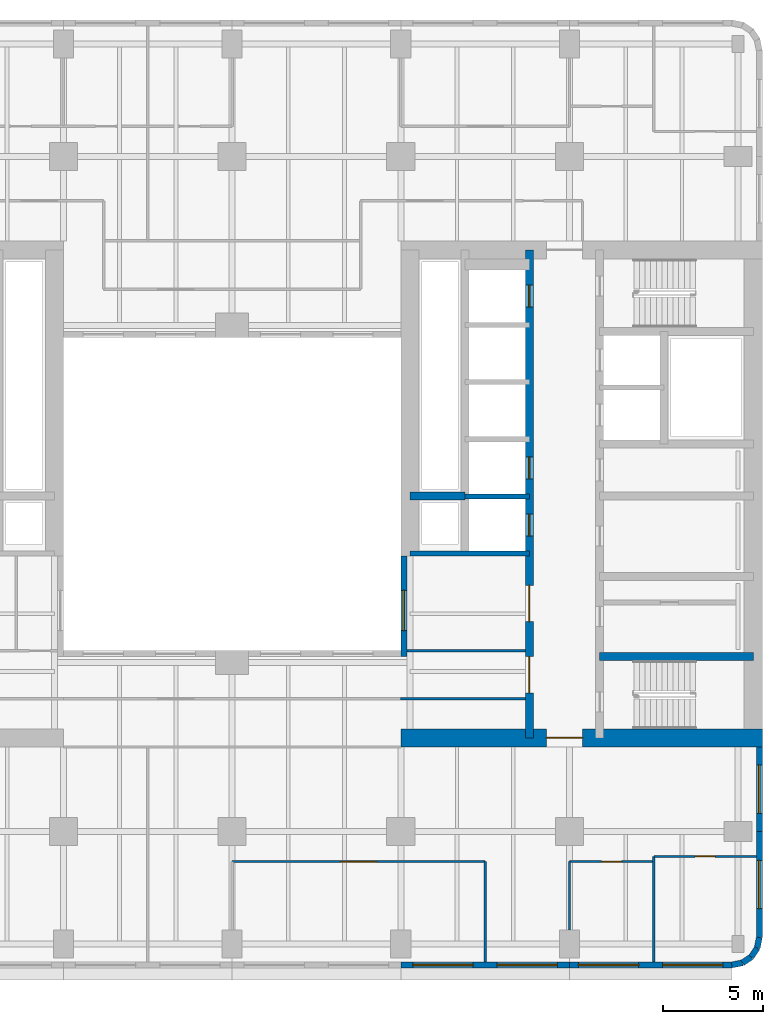
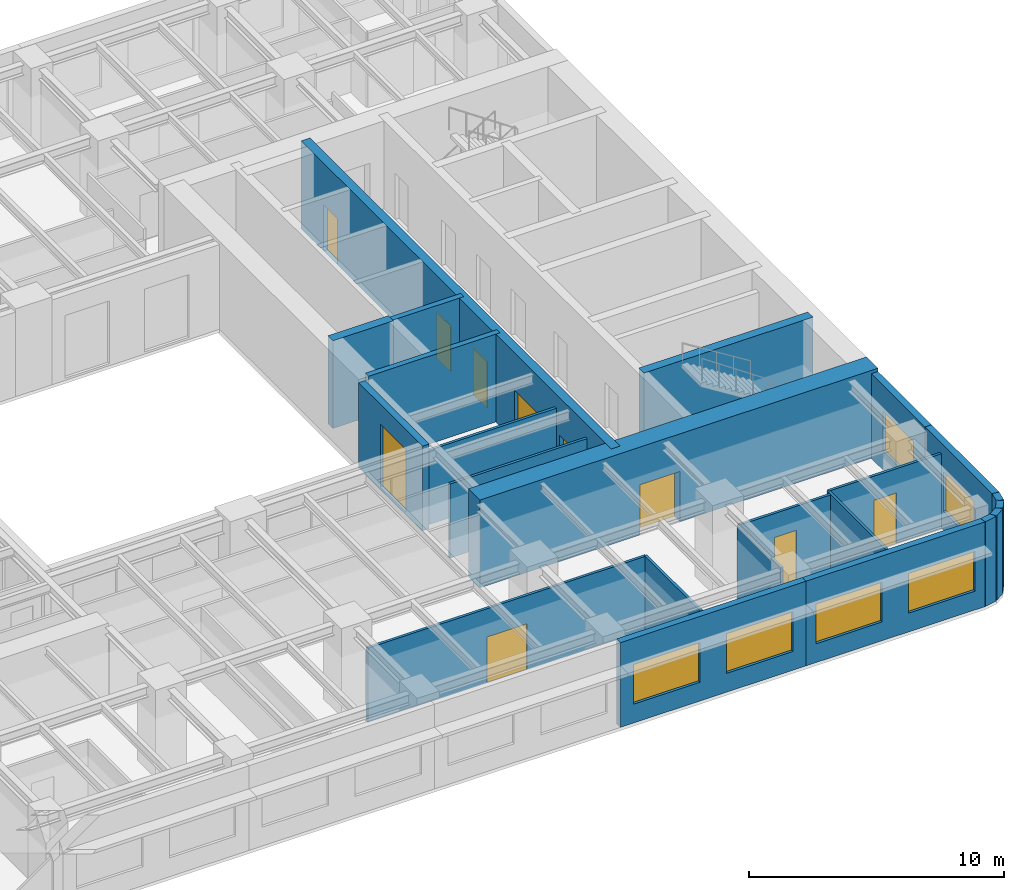
# One storey, part 5 of 11: 23 walls, 9 doors, 7 windows, 16 openings.
"""IFC4 building model written with IfcOpenShell, lengths in metres."""

from ifc_helpers import new_model, si_unit, direction, frame, frame_2d, origin, place, context, subcontext, project, spatial, rectangle, extrude, material, layer, layer_set, type_object, element, fill, save


model = new_model("IFC4")

# Units and contexts
model_context = context("Model", 3, precision=1e-05, world=origin(), true_north=direction((0.0, 1.0)))
body_context = subcontext(model_context, "Body", "Model", "MODEL_VIEW")
ifc_project = project(units=[si_unit("LENGTHUNIT", "METRE"), si_unit("AREAUNIT", "SQUARE_METRE"), si_unit("VOLUMEUNIT", "CUBIC_METRE"), si_unit("PLANEANGLEUNIT", "RADIAN"), si_unit("MASSUNIT", "GRAM", prefix="KILO")], contexts=[model_context])

# Site, building, storey
site_placement = place(None, origin())
site = spatial("IfcSite", under=ifc_project, at=site_placement, CompositionType="ELEMENT")
building_placement = place(site_placement, origin())
building = spatial("IfcBuilding", under=site, at=building_placement, Name="Claustro Exchange Tower", CompositionType="ELEMENT")
storey_placement = place(building_placement, frame((0.0, 0.0, 147.0)))
storey = spatial("IfcBuildingStorey", under=building, at=storey_placement, Name="L33", CompositionType="ELEMENT", Elevation=147.0)

# Wall
ifc_material_1 = material(Name="Laminated glass in aluminium frame", Category="aluminium")
ifc_layer_1 = layer(ifc_material_1, 0.1201171875)
ifc_layer_set_1 = layer_set([ifc_layer_1], Name="Laminated glass in aluminium frame")
wall_type_1 = type_object("IfcWallType", Name="P2 120 glazed partition", PredefinedType="PARTITIONING", material=ifc_layer_set_1)
wall_1_placement = place(storey_placement, frame((33.89794921875, 17.39990234375, 0.0), z_axis=(0.0, 0.0, 1.0), x_axis=(1.0, 0.0, 0.0)))
element("IfcWall", 1, at=wall_1_placement, inside=storey, type_object=wall_type_1, Name="Partition P2 L33", PredefinedType="PARTITIONING", context=body_context, shape_type="SweptSolid", body=[
    extrude(rectangle(XDim=5.904052734375, YDim=0.1201171875, at=frame_2d((2.9521484375, 0.0))), origin(), (0.0, 0.0, 1.0), 3.550048828125),
])

# Wall, opening, door
wall_2_placement = place(storey_placement, frame((25.199951171875, 6.89990234375, 0.0), z_axis=(0.0, 0.0, 1.0), x_axis=(1.0, 0.0, 0.0)))
wall_2 = element("IfcWall", 2, at=wall_2_placement, inside=storey, type_object=wall_type_1, Name="Partition P2 L33", PredefinedType="PARTITIONING", context=body_context, shape_type="SweptSolid", body=[
    extrude(rectangle(XDim=12.60009765625, YDim=0.1201171875, at=frame_2d((6.300048828125, 0.0))), origin(), (0.0, 0.0, 1.0), 3.550048828125),
])
opening_1_placement = place(wall_2_placement, frame((5.39990234375, 0.0, 0.0)))
opening_1 = element("IfcOpeningElement", 3, at=opening_1_placement, cuts=wall_2, Name="Opening D2", PredefinedType="OPENING", context=body_context, shape_type="SweptSolid", body=[
    extrude(rectangle(XDim=1.800048828125, YDim=2.199951171875, at=frame_2d((0.89990234375, 1.10009765625))), frame((0.0, 0.070068359375, 0.0), z_axis=(0.0, -1.0, 0.0), x_axis=(1.0, 0.0, 0.0)), (0.0, 0.0, 1.0), 0.14013671875),
])
ifc_material_2 = material(Name="Timber door, oak veneer", Category="wood")
door_type_1 = type_object("IfcDoorType", Name="D2 1800 x 2200 double door", OperationType="DOUBLE_DOOR_SINGLE_SWING", PredefinedType="DOOR", material=ifc_material_2)
door_1_placement = place(opening_1_placement, frame((1.800048828125, 0.0, 0.0), z_axis=(0.0, 0.0, 1.0), x_axis=(-1.0, 0.0, 0.0)))
door_1 = element("IfcDoor", 4, at=door_1_placement, inside=storey, type_object=door_type_1, Name="Double door D2 L33", OperationType="DOUBLE_DOOR_SINGLE_SWING", OverallHeight=2.199951171875, OverallWidth=1.800048828125, PredefinedType="DOOR", context=body_context, shape_type="SweptSolid", body=[
    extrude(rectangle(XDim=1.800048828125, YDim=2.199951171875, at=frame_2d((0.89990234375, 1.10009765625))), frame((0.0, 0.02490234375, 0.0), z_axis=(0.0, -1.0, 0.0), x_axis=(1.0, 0.0, 0.0)), (0.0, 0.0, 1.0), 0.050048828125),
])
fill(opening_1, door_1)

# Wall
wall_3_placement = place(storey_placement, frame((37.800048828125, 1.89794921875, 0.0), z_axis=(0.0, 0.0, 1.0), x_axis=(0.0, 1.0, 0.0)))
element("IfcWall", 5, at=wall_3_placement, inside=storey, type_object=wall_type_1, Name="Partition P2 L33", PredefinedType="PARTITIONING", context=body_context, shape_type="SweptSolid", body=[
    extrude(rectangle(XDim=5.001953125, YDim=0.1201171875, at=frame_2d((2.5009765625, 0.0))), origin(), (0.0, 0.0, 1.0), 3.56005859375),
])

# Wall, opening, door
wall_4_placement = place(storey_placement, frame((46.199951171875, 7.14990234375, 0.0), z_axis=(0.0, 0.0, 1.0), x_axis=(1.0, 0.0, 0.0)))
wall_4 = element("IfcWall", 6, at=wall_4_placement, inside=storey, type_object=wall_type_1, Name="Partition P2 L33", PredefinedType="PARTITIONING", context=body_context, shape_type="SweptSolid", body=[
    extrude(rectangle(XDim=5.10205078125, YDim=0.1201171875, at=frame_2d((2.551025390625, 0.0))), origin(), (0.0, 0.0, 1.0), 3.56005859375),
])
opening_2_placement = place(wall_4_placement, frame((2.050048828125, 0.0, 0.0)))
opening_2 = element("IfcOpeningElement", 7, at=opening_2_placement, cuts=wall_4, Name="Opening D7", PredefinedType="OPENING", context=body_context, shape_type="SweptSolid", body=[
    extrude(rectangle(XDim=1.0, YDim=2.39990234375, at=frame_2d((0.5, 1.199951171875))), frame((0.0, 0.070068359375, 0.0), z_axis=(0.0, -1.0, 0.0), x_axis=(1.0, 0.0, 0.0)), (0.0, 0.0, 1.0), 0.14013671875),
])
ifc_material_3 = material(Name="Glass door in aluminium frame", Category="aluminium")
door_type_2 = type_object("IfcDoorType", Name="D7 1000 x 2400 glazed door", OperationType="SINGLE_SWING_LEFT", PredefinedType="DOOR", material=ifc_material_3)
door_2_placement = place(opening_2_placement, frame((1.0, 0.0, 0.0), z_axis=(0.0, 0.0, 1.0), x_axis=(-1.0, 0.0, 0.0)))
door_2 = element("IfcDoor", 8, at=door_2_placement, inside=storey, type_object=door_type_2, Name="Door D7 L33", OperationType="SINGLE_SWING_RIGHT", OverallHeight=2.39990234375, OverallWidth=1.0, PredefinedType="DOOR", context=body_context, shape_type="SweptSolid", body=[
    extrude(rectangle(XDim=1.0, YDim=2.39990234375, at=frame_2d((0.5, 1.199951171875))), frame((0.0, 0.02490234375, 0.0), z_axis=(0.0, -1.0, 0.0), x_axis=(1.0, 0.0, 0.0)), (0.0, 0.0, 1.0), 0.050048828125),
])
fill(opening_2, door_2)

wall_5_placement = place(storey_placement, frame((42.0, 6.89990234375, 0.0), z_axis=(0.0, 0.0, 1.0), x_axis=(1.0, 0.0, 0.0)))
wall_5 = element("IfcWall", 9, at=wall_5_placement, inside=storey, type_object=wall_type_1, Name="Partition P2 L33", PredefinedType="PARTITIONING", context=body_context, shape_type="SweptSolid", body=[
    extrude(rectangle(XDim=4.14208984375, YDim=0.1201171875, at=frame_2d((2.071044921875, 0.0))), origin(), (0.0, 0.0, 1.0), 3.550048828125),
])
opening_3_placement = place(wall_5_placement, frame((1.60009765625, 0.0, 0.0)))
opening_3 = element("IfcOpeningElement", 10, at=opening_3_placement, cuts=wall_5, Name="Opening D7", PredefinedType="OPENING", context=body_context, shape_type="SweptSolid", body=[
    extrude(rectangle(XDim=1.0, YDim=2.39990234375, at=frame_2d((0.5, 1.199951171875))), frame((0.0, 0.070068359375, 0.0), z_axis=(0.0, -1.0, 0.0), x_axis=(1.0, 0.0, 0.0)), (0.0, 0.0, 1.0), 0.14013671875),
])
door_3_placement = place(opening_3_placement, frame((1.0, 0.0, 0.0), z_axis=(0.0, 0.0, 1.0), x_axis=(-1.0, 0.0, 0.0)))
door_3 = element("IfcDoor", 11, at=door_3_placement, inside=storey, type_object=door_type_2, Name="Door D7 L33", OperationType="SINGLE_SWING_RIGHT", OverallHeight=2.39990234375, OverallWidth=1.0, PredefinedType="DOOR", context=body_context, shape_type="SweptSolid", body=[
    extrude(rectangle(XDim=1.0, YDim=2.39990234375, at=frame_2d((0.5, 1.199951171875))), frame((0.0, 0.02490234375, 0.0), z_axis=(0.0, -1.0, 0.0), x_axis=(1.0, 0.0, 0.0)), (0.0, 0.0, 1.0), 0.050048828125),
])
fill(opening_3, door_3)

# Walls
wall_6_placement = place(storey_placement, frame((42.0, 3.4990234375, 0.0), z_axis=(0.0, 0.0, 1.0), x_axis=(0.0, 1.0, 0.0)))
element("IfcWall", 12, at=wall_6_placement, inside=storey, type_object=wall_type_1, Name="Partition P2 L33", PredefinedType="PARTITIONING", context=body_context, shape_type="SweptSolid", body=[
    extrude(rectangle(XDim=3.40087890625, YDim=0.1201171875, at=frame_2d((1.700439453125, 0.0))), origin(), (0.0, 0.0, 1.0), 3.550048828125),
])
wall_7_placement = place(storey_placement, frame((46.199951171875, 1.89794921875, 0.0), z_axis=(0.0, 0.0, 1.0), x_axis=(0.0, 1.0, 0.0)))
element("IfcWall", 13, at=wall_7_placement, inside=storey, type_object=wall_type_1, Name="Partition P2 L33", PredefinedType="PARTITIONING", context=body_context, shape_type="SweptSolid", body=[
    extrude(rectangle(XDim=5.251953125, YDim=0.1201171875, at=frame_2d((2.6259765625, 0.0))), origin(), (0.0, 0.0, 1.0), 3.56005859375),
])
wall_8_placement = place(storey_placement, frame((33.597900390625, 15.0, 0.0), z_axis=(0.0, 0.0, 1.0), x_axis=(1.0, 0.0, 0.0)))
element("IfcWall", 14, at=wall_8_placement, inside=storey, type_object=wall_type_1, Name="Partition P2 L33", PredefinedType="PARTITIONING", context=body_context, shape_type="SweptSolid", body=[
    extrude(rectangle(XDim=6.2041015625, YDim=0.1201171875, at=frame_2d((3.10205078125, 0.0))), origin(), (0.0, 0.0, 1.0), 3.550048828125),
])

# Wall, openings, windows
ifc_material_4 = material(Name="Concrete HA-40 (C40/50), precast, white cement, acid-etched", Category="concrete")
ifc_layer_2 = layer(ifc_material_4, 0.300048828125)
ifc_layer_set_2 = layer_set([ifc_layer_2], Name="Concrete HA-40 (C40/50), precast, white cement, acid-etched")
wall_type_2 = type_object("IfcWallType", Name="PC1 300 precast concrete pier panel", PredefinedType="SOLIDWALL", material=ifc_layer_set_2)
wall_9_placement = place(storey_placement, frame((50.085205078125, 1.75, 0.0), z_axis=(0.0, 0.0, 1.0), x_axis=(-1.0, 0.0, 0.0)))
wall_9 = element("IfcWall", 15, at=wall_9_placement, inside=storey, type_object=wall_type_2, Name="Precast pier panel PC1 L33", PredefinedType="SOLIDWALL", context=body_context, shape_type="SweptSolid", body=[
    extrude(rectangle(XDim=8.085205078125, YDim=0.300048828125, at=frame_2d((4.04248046875, 0.0))), origin(), (0.0, 0.0, 1.0), 4.050048828125),
])
opening_4_placement = place(wall_9_placement, frame((0.442626953125, 0.0, 0.89990234375)))
opening_4 = element("IfcOpeningElement", 16, at=opening_4_placement, cuts=wall_9, Name="Opening W1", PredefinedType="OPENING", context=body_context, shape_type="SweptSolid", body=[
    extrude(rectangle(XDim=3.0, YDim=1.89990234375, at=frame_2d((1.5, 0.949951171875))), frame((0.0, 0.159912109375, 0.0), z_axis=(0.0, -1.0, 0.0), x_axis=(1.0, 0.0, 0.0)), (0.0, 0.0, 1.0), 0.320068359375),
])
opening_5_placement = place(wall_9_placement, frame((4.642578125, 0.0, 0.89990234375)))
opening_5 = element("IfcOpeningElement", 17, at=opening_5_placement, cuts=wall_9, Name="Opening W1", PredefinedType="OPENING", context=body_context, shape_type="SweptSolid", body=[
    extrude(rectangle(XDim=3.0, YDim=1.89990234375, at=frame_2d((1.5, 0.949951171875))), frame((0.0, 0.159912109375, 0.0), z_axis=(0.0, -1.0, 0.0), x_axis=(1.0, 0.0, 0.0)), (0.0, 0.0, 1.0), 0.320068359375),
])
ifc_material_5 = material(Name="Aluminium frame, clear double glazing", Category="aluminium")
window_type_1 = type_object("IfcWindowType", Name="W1 3000 x 1900 window", PartitioningType="SINGLE_PANEL", PredefinedType="WINDOW", material=ifc_material_5)
window_1_placement = place(opening_4_placement, origin())
window_1 = element("IfcWindow", 18, at=window_1_placement, inside=storey, type_object=window_type_1, Name="Window W1 L33", OverallHeight=1.89990234375, OverallWidth=3.0, PartitioningType="SINGLE_PANEL", PredefinedType="WINDOW", context=body_context, shape_type="SweptSolid", body=[
    extrude(rectangle(XDim=3.0, YDim=1.89990234375, at=frame_2d((1.5, 0.949951171875))), frame((0.0, 0.030029296875, 0.0), z_axis=(0.0, -1.0, 0.0), x_axis=(1.0, 0.0, 0.0)), (0.0, 0.0, 1.0), 0.06005859375),
])
fill(opening_4, window_1)
window_2_placement = place(opening_5_placement, origin())
window_2 = element("IfcWindow", 19, at=window_2_placement, inside=storey, type_object=window_type_1, Name="Window W1 L33", OverallHeight=1.89990234375, OverallWidth=3.0, PartitioningType="SINGLE_PANEL", PredefinedType="WINDOW", context=body_context, shape_type="SweptSolid", body=[
    extrude(rectangle(XDim=3.0, YDim=1.89990234375, at=frame_2d((1.5, 0.949951171875))), frame((0.0, 0.030029296875, 0.0), z_axis=(0.0, -1.0, 0.0), x_axis=(1.0, 0.0, 0.0)), (0.0, 0.0, 1.0), 0.06005859375),
])
fill(opening_5, window_2)

wall_10_placement = place(storey_placement, frame((42.0, 1.75, 0.0), z_axis=(0.0, 0.0, 1.0), x_axis=(-1.0, 0.0, 0.0)))
wall_10 = element("IfcWall", 20, at=wall_10_placement, inside=storey, type_object=wall_type_2, Name="Precast pier panel PC1 L33", PredefinedType="SOLIDWALL", context=body_context, shape_type="SweptSolid", body=[
    extrude(rectangle(XDim=8.39990234375, YDim=0.300048828125, at=frame_2d((4.199951171875, 0.0))), origin(), (0.0, 0.0, 1.0), 4.050048828125),
])
opening_6_placement = place(wall_10_placement, frame((0.60009765625, 0.0, 0.89990234375)))
opening_6 = element("IfcOpeningElement", 21, at=opening_6_placement, cuts=wall_10, Name="Opening W1", PredefinedType="OPENING", context=body_context, shape_type="SweptSolid", body=[
    extrude(rectangle(XDim=3.0, YDim=1.89990234375, at=frame_2d((1.5, 0.949951171875))), frame((0.0, 0.159912109375, 0.0), z_axis=(0.0, -1.0, 0.0), x_axis=(1.0, 0.0, 0.0)), (0.0, 0.0, 1.0), 0.320068359375),
])
opening_7_placement = place(wall_10_placement, frame((4.800048828125, 0.0, 0.89990234375)))
opening_7 = element("IfcOpeningElement", 22, at=opening_7_placement, cuts=wall_10, Name="Opening W1", PredefinedType="OPENING", context=body_context, shape_type="SweptSolid", body=[
    extrude(rectangle(XDim=3.0, YDim=1.89990234375, at=frame_2d((1.5, 0.949951171875))), frame((0.0, 0.159912109375, 0.0), z_axis=(0.0, -1.0, 0.0), x_axis=(1.0, 0.0, 0.0)), (0.0, 0.0, 1.0), 0.320068359375),
])
window_3_placement = place(opening_6_placement, origin())
window_3 = element("IfcWindow", 23, at=window_3_placement, inside=storey, type_object=window_type_1, Name="Window W1 L33", OverallHeight=1.89990234375, OverallWidth=3.0, PartitioningType="SINGLE_PANEL", PredefinedType="WINDOW", context=body_context, shape_type="SweptSolid", body=[
    extrude(rectangle(XDim=3.0, YDim=1.89990234375, at=frame_2d((1.5, 0.949951171875))), frame((0.0, 0.030029296875, 0.0), z_axis=(0.0, -1.0, 0.0), x_axis=(1.0, 0.0, 0.0)), (0.0, 0.0, 1.0), 0.06005859375),
])
fill(opening_6, window_3)
window_4_placement = place(opening_7_placement, origin())
window_4 = element("IfcWindow", 24, at=window_4_placement, inside=storey, type_object=window_type_1, Name="Window W1 L33", OverallHeight=1.89990234375, OverallWidth=3.0, PartitioningType="SINGLE_PANEL", PredefinedType="WINDOW", context=body_context, shape_type="SweptSolid", body=[
    extrude(rectangle(XDim=3.0, YDim=1.89990234375, at=frame_2d((1.5, 0.949951171875))), frame((0.0, 0.030029296875, 0.0), z_axis=(0.0, -1.0, 0.0), x_axis=(1.0, 0.0, 0.0)), (0.0, 0.0, 1.0), 0.06005859375),
])
fill(opening_7, window_4)

# Wall, opening, window
wall_11_placement = place(storey_placement, frame((51.449951171875, 12.60009765625, 0.0), z_axis=(0.0, 0.0, 1.0), x_axis=(0.0, -1.0, 0.0)))
wall_11 = element("IfcWall", 25, at=wall_11_placement, inside=storey, type_object=wall_type_2, Name="Precast pier panel PC1 L33", PredefinedType="SOLIDWALL", context=body_context, shape_type="SweptSolid", body=[
    extrude(rectangle(XDim=4.2001953125, YDim=0.300048828125, at=frame_2d((2.10009765625, 0.0))), origin(), (0.0, 0.0, 1.0), 4.050048828125),
])
opening_8_placement = place(wall_11_placement, frame((0.89990234375, 0.0, 0.89990234375)))
opening_8 = element("IfcOpeningElement", 26, at=opening_8_placement, cuts=wall_11, Name="Opening W2", PredefinedType="OPENING", context=body_context, shape_type="SweptSolid", body=[
    extrude(rectangle(XDim=2.39990234375, YDim=1.89990234375, at=frame_2d((1.199951171875, 0.949951171875))), frame((0.0, 0.159912109375, 0.0), z_axis=(0.0, -1.0, 0.0), x_axis=(1.0, 0.0, 0.0)), (0.0, 0.0, 1.0), 0.320068359375),
])
ifc_material_6 = material(Name="Aluminium frame, clear double glazing", Category="aluminium")
window_type_2 = type_object("IfcWindowType", Name="W2 2400 x 1900 window", PartitioningType="SINGLE_PANEL", PredefinedType="WINDOW", material=ifc_material_6)
window_5_placement = place(opening_8_placement, origin())
window_5 = element("IfcWindow", 27, at=window_5_placement, inside=storey, type_object=window_type_2, Name="Window W2 L33", OverallHeight=1.89990234375, OverallWidth=2.39990234375, PartitioningType="SINGLE_PANEL", PredefinedType="WINDOW", context=body_context, shape_type="SweptSolid", body=[
    extrude(rectangle(XDim=2.39990234375, YDim=1.89990234375, at=frame_2d((1.199951171875, 0.949951171875))), frame((0.0, 0.030029296875, 0.0), z_axis=(0.0, -1.0, 0.0), x_axis=(1.0, 0.0, 0.0)), (0.0, 0.0, 1.0), 0.06005859375),
])
fill(opening_8, window_5)

wall_12_placement = place(storey_placement, frame((51.449951171875, 8.39990234375, 0.0), z_axis=(0.0, 0.0, 1.0), x_axis=(0.0, -1.0, 0.0)))
wall_12 = element("IfcWall", 28, at=wall_12_placement, inside=storey, type_object=wall_type_2, Name="Precast pier panel PC1 L33", PredefinedType="SOLIDWALL", context=body_context, shape_type="SweptSolid", body=[
    extrude(rectangle(XDim=5.28515625, YDim=0.300048828125, at=frame_2d((2.642578125, 0.0))), origin(), (0.0, 0.0, 1.0), 4.050048828125),
])
opening_9_placement = place(wall_12_placement, frame((1.442626953125, 0.0, 0.89990234375)))
opening_9 = element("IfcOpeningElement", 29, at=opening_9_placement, cuts=wall_12, Name="Opening W2", PredefinedType="OPENING", context=body_context, shape_type="SweptSolid", body=[
    extrude(rectangle(XDim=2.39990234375, YDim=1.89990234375, at=frame_2d((1.199951171875, 0.949951171875))), frame((0.0, 0.159912109375, 0.0), z_axis=(0.0, -1.0, 0.0), x_axis=(1.0, 0.0, 0.0)), (0.0, 0.0, 1.0), 0.320068359375),
])
window_6_placement = place(opening_9_placement, origin())
window_6 = element("IfcWindow", 30, at=window_6_placement, inside=storey, type_object=window_type_2, Name="Window W2 L33", OverallHeight=1.89990234375, OverallWidth=2.39990234375, PartitioningType="SINGLE_PANEL", PredefinedType="WINDOW", context=body_context, shape_type="SweptSolid", body=[
    extrude(rectangle(XDim=2.39990234375, YDim=1.89990234375, at=frame_2d((1.199951171875, 0.949951171875))), frame((0.0, 0.030029296875, 0.0), z_axis=(0.0, -1.0, 0.0), x_axis=(1.0, 0.0, 0.0)), (0.0, 0.0, 1.0), 0.06005859375),
])
fill(opening_9, window_6)

# Walls
wall_13_placement = place(storey_placement, frame((51.449951171875, 3.11474609375, 0.0), z_axis=(0.0, 0.0, 1.0), x_axis=(-0.195073962632, -0.980788534345, 0.0)))
element("IfcWall", 31, at=wall_13_placement, inside=storey, type_object=wall_type_2, Name="Precast pier panel PC1 L33", PredefinedType="SOLIDWALL", context=body_context, shape_type="SweptSolid", body=[
    extrude(rectangle(XDim=0.540771484375, YDim=0.300048828125, at=frame_2d((0.2705078125, 0.0))), origin(), (0.0, 0.0, 1.0), 4.050048828125),
])
for number, where, z_axis, x_axis, name in (
    (32, (51.344482421875, 2.58447265625, 0.0), (0.0, 0.0, 1.0), (-0.555557463938, -0.831478144188, 0.0), "Precast pier panel PC1 L33"),
    (33, (51.052490234375, 2.1474609375, 0.0), (0.0, 0.0, 1.0), (-0.831478144188, -0.555557463938, 0.0), "Precast pier panel PC1 L33"),
):
    element("IfcWall", number, at=place(storey_placement, frame(where, z_axis=z_axis, x_axis=x_axis)), inside=storey, type_object=wall_type_2, Name=name, PredefinedType="SOLIDWALL", context=body_context, shape_type="SweptSolid", body=[
        extrude(rectangle(XDim=0.525634765625, YDim=0.300048828125, at=frame_2d((0.2626953125, 0.0))), origin(), (0.0, 0.0, 1.0), 4.050048828125),
    ])
wall_14_placement = place(storey_placement, frame((50.615478515625, 1.85546875, 0.0), z_axis=(0.0, 0.0, 1.0), x_axis=(-0.980788534345, -0.195073962632, 0.0)))
element("IfcWall", 34, at=wall_14_placement, inside=storey, type_object=wall_type_2, Name="Precast pier panel PC1 L33", PredefinedType="SOLIDWALL", context=body_context, shape_type="SweptSolid", body=[
    extrude(rectangle(XDim=0.540771484375, YDim=0.300048828125, at=frame_2d((0.2705078125, 0.0))), origin(), (0.0, 0.0, 1.0), 4.050048828125),
])

# Wall, opening, window
wall_15_placement = place(storey_placement, frame((33.75, 17.10009765625, 0.0), z_axis=(0.0, 0.0, 1.0), x_axis=(0.0, 1.0, 0.0)))
wall_15 = element("IfcWall", 35, at=wall_15_placement, inside=storey, type_object=wall_type_2, Name="Precast pier panel PC1 L33", PredefinedType="SOLIDWALL", context=body_context, shape_type="SweptSolid", body=[
    extrude(rectangle(XDim=5.0, YDim=0.300048828125, at=frame_2d((2.5, 0.0))), origin(), (0.0, 0.0, 1.0), 4.050048828125),
])
opening_10_placement = place(wall_15_placement, frame((1.300048828125, 0.0, 0.10009765625)))
opening_10 = element("IfcOpeningElement", 36, at=opening_10_placement, cuts=wall_15, Name="Opening W-A", PredefinedType="OPENING", context=body_context, shape_type="SweptSolid", body=[
    extrude(rectangle(XDim=2.0, YDim=3.0, at=frame_2d((1.0, 1.5))), frame((0.0, 0.159912109375, 0.0), z_axis=(0.0, -1.0, 0.0), x_axis=(1.0, 0.0, 0.0)), (0.0, 0.0, 1.0), 0.320068359375),
])
ifc_material_7 = material(Name="Aluminium frame, clear double glazing", Category="aluminium")
window_type_3 = type_object("IfcWindowType", Name="W-A 2000 x 3000 arcade window", PartitioningType="SINGLE_PANEL", PredefinedType="WINDOW", material=ifc_material_7)
window_7_placement = place(opening_10_placement, origin())
window_7 = element("IfcWindow", 37, at=window_7_placement, inside=storey, type_object=window_type_3, Name="Window W-A L33", OverallHeight=3.0, OverallWidth=2.0, PartitioningType="SINGLE_PANEL", PredefinedType="WINDOW", context=body_context, shape_type="SweptSolid", body=[
    extrude(rectangle(XDim=2.0, YDim=3.0, at=frame_2d((1.0, 1.5))), frame((0.0, 0.030029296875, 0.0), z_axis=(0.0, -1.0, 0.0), x_axis=(1.0, 0.0, 0.0)), (0.0, 0.0, 1.0), 0.06005859375),
])
fill(opening_10, window_7)

# Wall, opening, door
ifc_material_8 = material(Name="Concrete HA-70 (C70/85)", Category="concrete")
ifc_layer_3 = layer(ifc_material_8, 0.89990234375)
ifc_layer_set_3 = layer_set([ifc_layer_3], Name="Concrete HA-70 (C70/85)")
wall_type_3 = type_object("IfcWallType", Name="SW1 900 core shear wall", PredefinedType="SHEAR", material=ifc_layer_set_3)
wall_16_placement = place(storey_placement, frame((33.60009765625, 13.050048828125, 0.0), z_axis=(0.0, 0.0, 1.0), x_axis=(1.0, 0.0, 0.0)))
wall_16 = element("IfcWall", 38, at=wall_16_placement, inside=storey, type_object=wall_type_3, Name="Core wall SW1 E core S face L33", PredefinedType="SHEAR", context=body_context, shape_type="SweptSolid", body=[
    extrude(rectangle(XDim=18.0, YDim=0.89990234375, at=frame_2d((9.0, 0.0))), origin(), (0.0, 0.0, 1.0), 4.199951171875),
])
opening_11_placement = place(wall_16_placement, frame((7.25, 0.0, 0.0)))
opening_11 = element("IfcOpeningElement", 39, at=opening_11_placement, cuts=wall_16, Name="Opening D3", PredefinedType="OPENING", context=body_context, shape_type="SweptSolid", body=[
    extrude(rectangle(XDim=1.800048828125, YDim=2.39990234375, at=frame_2d((0.89990234375, 1.199951171875))), frame((0.0, 0.4599609375, 0.0), z_axis=(0.0, -1.0, 0.0), x_axis=(1.0, 0.0, 0.0)), (0.0, 0.0, 1.0), 0.919921875),
])
ifc_material_9 = material(Name="Steel fire door, painted", Category="steel")
door_type_3 = type_object("IfcDoorType", Name="D3 1800 x 2400 fire-rated lobby double door", OperationType="DOUBLE_DOOR_SINGLE_SWING", PredefinedType="DOOR", material=ifc_material_9)
door_4_placement = place(opening_11_placement, frame((1.800048828125, 0.0, 0.0), z_axis=(0.0, 0.0, 1.0), x_axis=(-1.0, 0.0, 0.0)))
door_4 = element("IfcDoor", 40, at=door_4_placement, inside=storey, type_object=door_type_3, Name="Lift lobby door D3 L33", OperationType="DOUBLE_DOOR_SINGLE_SWING", OverallHeight=2.39990234375, OverallWidth=1.800048828125, PredefinedType="DOOR", context=body_context, shape_type="SweptSolid", body=[
    extrude(rectangle(XDim=1.800048828125, YDim=2.39990234375, at=frame_2d((0.89990234375, 1.199951171875))), frame((0.0, 0.02490234375, 0.0), z_axis=(0.0, -1.0, 0.0), x_axis=(1.0, 0.0, 0.0)), (0.0, 0.0, 1.0), 0.050048828125),
])
fill(opening_11, door_4)

# Wall, openings, doors
ifc_material_10 = material(Name="Concrete HA-50 (C50/60)", Category="concrete")
ifc_layer_4 = layer(ifc_material_10, 0.39990234375)
ifc_layer_set_4 = layer_set([ifc_layer_4], Name="Concrete HA-50 (C50/60)")
wall_type_4 = type_object("IfcWallType", Name="SW4 400 internal core wall", PredefinedType="SHEAR", material=ifc_layer_set_4)
wall_17_placement = place(storey_placement, frame((40.0, 13.050048828125, 0.0), z_axis=(0.0, 0.0, 1.0), x_axis=(0.0, 1.0, 0.0)))
wall_17 = element("IfcWall", 41, at=wall_17_placement, inside=storey, type_object=wall_type_4, Name="Internal core wall SW4 E core L33", PredefinedType="SHEAR", context=body_context, shape_type="SweptSolid", body=[
    extrude(rectangle(XDim=24.300048828125, YDim=0.39990234375, at=frame_2d((12.14990234375, 0.0))), origin(), (0.0, 0.0, 1.0), 4.199951171875),
])
opening_12_placement = place(wall_17_placement, frame((10.050048828125, 0.0, 0.0)))
opening_12 = element("IfcOpeningElement", 42, at=opening_12_placement, cuts=wall_17, Name="Opening LD", PredefinedType="OPENING", context=body_context, shape_type="SweptSolid", body=[
    extrude(rectangle(XDim=1.10009765625, YDim=2.199951171875, at=frame_2d((0.550048828125, 1.10009765625))), frame((0.0, 0.2099609375, 0.0), z_axis=(0.0, -1.0, 0.0), x_axis=(1.0, 0.0, 0.0)), (0.0, 0.0, 1.0), 0.419921875),
])
opening_13_placement = place(wall_17_placement, frame((12.89990234375, 0.0, 0.0)))
opening_13 = element("IfcOpeningElement", 43, at=opening_13_placement, cuts=wall_17, Name="Opening LD", PredefinedType="OPENING", context=body_context, shape_type="SweptSolid", body=[
    extrude(rectangle(XDim=1.10009765625, YDim=2.199951171875, at=frame_2d((0.550048828125, 1.10009765625))), frame((0.0, 0.2099609375, 0.0), z_axis=(0.0, -1.0, 0.0), x_axis=(1.0, 0.0, 0.0)), (0.0, 0.0, 1.0), 0.419921875),
])
opening_14_placement = place(wall_17_placement, frame((21.449951171875, 0.0, 0.0)))
opening_14 = element("IfcOpeningElement", 44, at=opening_14_placement, cuts=wall_17, Name="Opening LD", PredefinedType="OPENING", context=body_context, shape_type="SweptSolid", body=[
    extrude(rectangle(XDim=1.10009765625, YDim=2.199951171875, at=frame_2d((0.550048828125, 1.10009765625))), frame((0.0, 0.2099609375, 0.0), z_axis=(0.0, -1.0, 0.0), x_axis=(1.0, 0.0, 0.0)), (0.0, 0.0, 1.0), 0.419921875),
])
opening_15_placement = place(wall_17_placement, frame((2.25, 0.0, 0.0)))
opening_15 = element("IfcOpeningElement", 45, at=opening_15_placement, cuts=wall_17, Name="Opening D3", PredefinedType="OPENING", context=body_context, shape_type="SweptSolid", body=[
    extrude(rectangle(XDim=1.800048828125, YDim=2.39990234375, at=frame_2d((0.89990234375, 1.199951171875))), frame((0.0, 0.2099609375, 0.0), z_axis=(0.0, -1.0, 0.0), x_axis=(1.0, 0.0, 0.0)), (0.0, 0.0, 1.0), 0.419921875),
])
opening_16_placement = place(wall_17_placement, frame((5.800048828125, 0.0, 0.0)))
opening_16 = element("IfcOpeningElement", 46, at=opening_16_placement, cuts=wall_17, Name="Opening D3", PredefinedType="OPENING", context=body_context, shape_type="SweptSolid", body=[
    extrude(rectangle(XDim=1.800048828125, YDim=2.39990234375, at=frame_2d((0.89990234375, 1.199951171875))), frame((0.0, 0.2099609375, 0.0), z_axis=(0.0, -1.0, 0.0), x_axis=(1.0, 0.0, 0.0)), (0.0, 0.0, 1.0), 0.419921875),
])
door_5_placement = place(opening_15_placement, frame((1.800048828125, 0.0, 0.0), z_axis=(0.0, 0.0, 1.0), x_axis=(-1.0, 0.0, 0.0)))
door_5 = element("IfcDoor", 47, at=door_5_placement, inside=storey, type_object=door_type_3, Name="Core zone door D3 L33", OperationType="DOUBLE_DOOR_SINGLE_SWING", OverallHeight=2.39990234375, OverallWidth=1.800048828125, PredefinedType="DOOR", context=body_context, shape_type="SweptSolid", body=[
    extrude(rectangle(XDim=1.800048828125, YDim=2.39990234375, at=frame_2d((0.89990234375, 1.199951171875))), frame((0.0, 0.02490234375, 0.0), z_axis=(0.0, -1.0, 0.0), x_axis=(1.0, 0.0, 0.0)), (0.0, 0.0, 1.0), 0.050048828125),
])
fill(opening_15, door_5)
door_6_placement = place(opening_16_placement, origin())
door_6 = element("IfcDoor", 48, at=door_6_placement, inside=storey, type_object=door_type_3, Name="Core zone door D3 L33", OperationType="DOUBLE_DOOR_SINGLE_SWING", OverallHeight=2.39990234375, OverallWidth=1.800048828125, PredefinedType="DOOR", context=body_context, shape_type="SweptSolid", body=[
    extrude(rectangle(XDim=1.800048828125, YDim=2.39990234375, at=frame_2d((0.89990234375, 1.199951171875))), frame((0.0, 0.02490234375, 0.0), z_axis=(0.0, -1.0, 0.0), x_axis=(1.0, 0.0, 0.0)), (0.0, 0.0, 1.0), 0.050048828125),
])
fill(opening_16, door_6)
ifc_material_11 = material(Name="Stainless steel sliding door", Category="steel")
door_type_4 = type_object("IfcDoorType", Name="LD 1100 x 2200 lift landing door", OperationType="DOUBLE_DOOR_SLIDING", PredefinedType="DOOR", material=ifc_material_11)
door_7_placement = place(opening_12_placement, origin())
door_7 = element("IfcDoor", 49, at=door_7_placement, inside=storey, type_object=door_type_4, Name="Lift landing door LME1 LD L33", OperationType="DOUBLE_DOOR_SLIDING", OverallHeight=2.199951171875, OverallWidth=1.10009765625, PredefinedType="DOOR", context=body_context, shape_type="SweptSolid", body=[
    extrude(rectangle(XDim=1.10009765625, YDim=2.199951171875, at=frame_2d((0.550048828125, 1.10009765625))), frame((0.0, 0.02490234375, 0.0), z_axis=(0.0, -1.0, 0.0), x_axis=(1.0, 0.0, 0.0)), (0.0, 0.0, 1.0), 0.050048828125),
])
fill(opening_12, door_7)
door_8_placement = place(opening_13_placement, origin())
door_8 = element("IfcDoor", 50, at=door_8_placement, inside=storey, type_object=door_type_4, Name="Lift landing door LME2 LD L33", OperationType="DOUBLE_DOOR_SLIDING", OverallHeight=2.199951171875, OverallWidth=1.10009765625, PredefinedType="DOOR", context=body_context, shape_type="SweptSolid", body=[
    extrude(rectangle(XDim=1.10009765625, YDim=2.199951171875, at=frame_2d((0.550048828125, 1.10009765625))), frame((0.0, 0.02490234375, 0.0), z_axis=(0.0, -1.0, 0.0), x_axis=(1.0, 0.0, 0.0)), (0.0, 0.0, 1.0), 0.050048828125),
])
fill(opening_13, door_8)
door_9_placement = place(opening_14_placement, origin())
door_9 = element("IfcDoor", 51, at=door_9_placement, inside=storey, type_object=door_type_4, Name="Lift landing door LSE1 LD L33", OperationType="DOUBLE_DOOR_SLIDING", OverallHeight=2.199951171875, OverallWidth=1.10009765625, PredefinedType="DOOR", context=body_context, shape_type="SweptSolid", body=[
    extrude(rectangle(XDim=1.10009765625, YDim=2.199951171875, at=frame_2d((0.550048828125, 1.10009765625))), frame((0.0, 0.02490234375, 0.0), z_axis=(0.0, -1.0, 0.0), x_axis=(1.0, 0.0, 0.0)), (0.0, 0.0, 1.0), 0.050048828125),
])
fill(opening_14, door_9)

# Walls
wall_18_placement = place(storey_placement, frame((51.14990234375, 17.10009765625, 0.0), z_axis=(0.0, 0.0, 1.0), x_axis=(-1.0, 0.0, 0.0)))
element("IfcWall", 52, at=wall_18_placement, inside=storey, type_object=wall_type_4, Name="Internal core wall SW4 E core L33", PredefinedType="SHEAR", context=body_context, shape_type="SweptSolid", body=[
    extrude(rectangle(XDim=7.64990234375, YDim=0.39990234375, at=frame_2d((3.824951171875, 0.0))), origin(), (0.0, 0.0, 1.0), 4.199951171875),
])
wall_19_placement = place(storey_placement, frame((36.800048828125, 25.10009765625, 0.0), z_axis=(0.0, 0.0, 1.0), x_axis=(-1.0, 0.0, 0.0)))
element("IfcWall", 53, at=wall_19_placement, inside=storey, type_object=wall_type_4, Name="Internal core wall SW4 E core L33", PredefinedType="SHEAR", context=body_context, shape_type="SweptSolid", body=[
    extrude(rectangle(XDim=2.75, YDim=0.39990234375, at=frame_2d((1.375, 0.0))), origin(), (0.0, 0.0, 1.0), 4.199951171875),
])
ifc_material_12 = material(Name="Concrete HA-50 (C50/60)", Category="concrete")
ifc_layer_5 = layer(ifc_material_12, 0.25)
ifc_layer_set_5 = layer_set([ifc_layer_5], Name="Concrete HA-50 (C50/60)")
wall_type_5 = type_object("IfcWallType", Name="SW5 250 lift shaft divider wall", PredefinedType="SHEAR", material=ifc_layer_set_5)
wall_20_placement = place(storey_placement, frame((40.0, 22.22509765625, 0.0), z_axis=(0.0, 0.0, 1.0), x_axis=(-1.0, 0.0, 0.0)))
element("IfcWall", 54, at=wall_20_placement, inside=storey, type_object=wall_type_5, Name="Core step wall E core L33", PredefinedType="SHEAR", context=body_context, shape_type="SweptSolid", body=[
    extrude(rectangle(XDim=5.949951171875, YDim=0.25, at=frame_2d((2.97509765625, 0.0))), origin(), (0.0, 0.0, 1.0), 4.199951171875),
])
wall_21_placement = place(storey_placement, frame((40.0, 25.074951171875, 0.0), z_axis=(0.0, 0.0, 1.0), x_axis=(-1.0, 0.0, 0.0)))
element("IfcWall", 55, at=wall_21_placement, inside=storey, type_object=wall_type_5, Name="Lift shaft wall E core L33", PredefinedType="SHEAR", context=body_context, shape_type="SweptSolid", body=[
    extrude(rectangle(XDim=3.199951171875, YDim=0.25, at=frame_2d((1.60009765625, 0.0))), origin(), (0.0, 0.0, 1.0), 4.199951171875),
])

save(model, "model.ifc")
